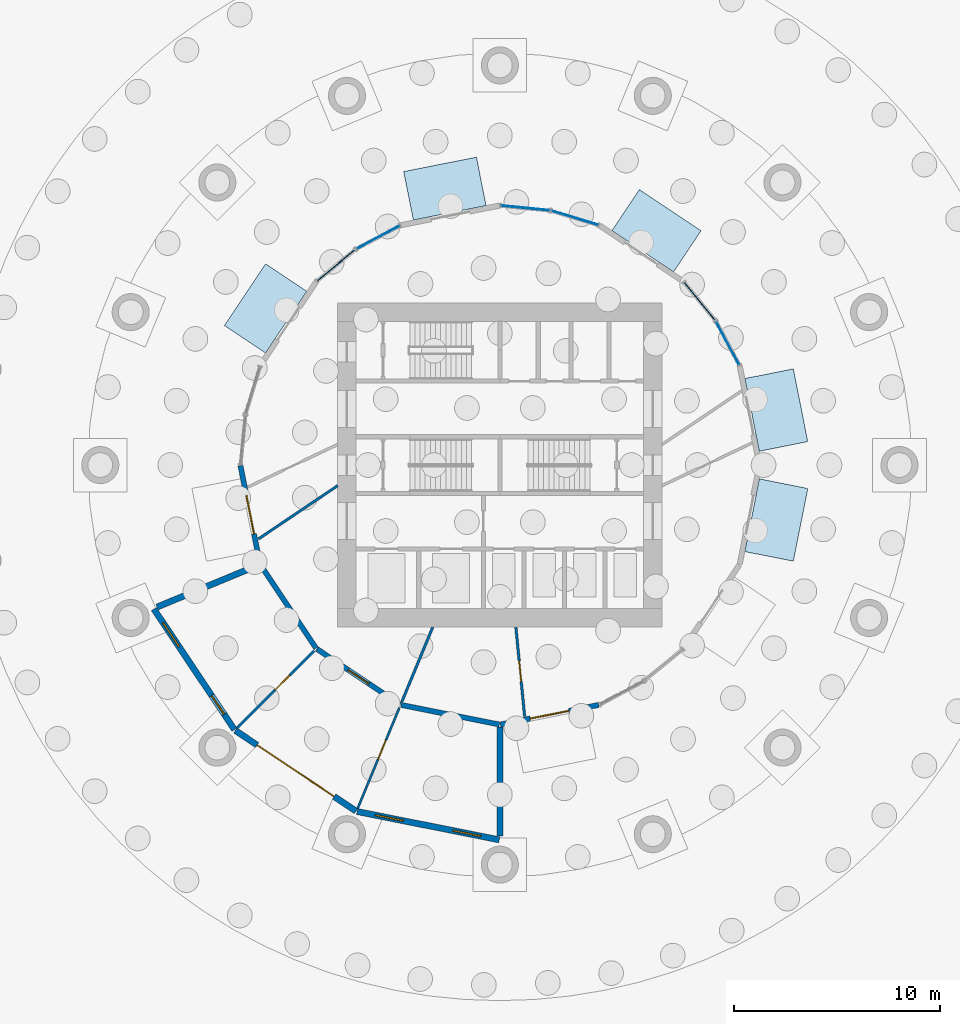
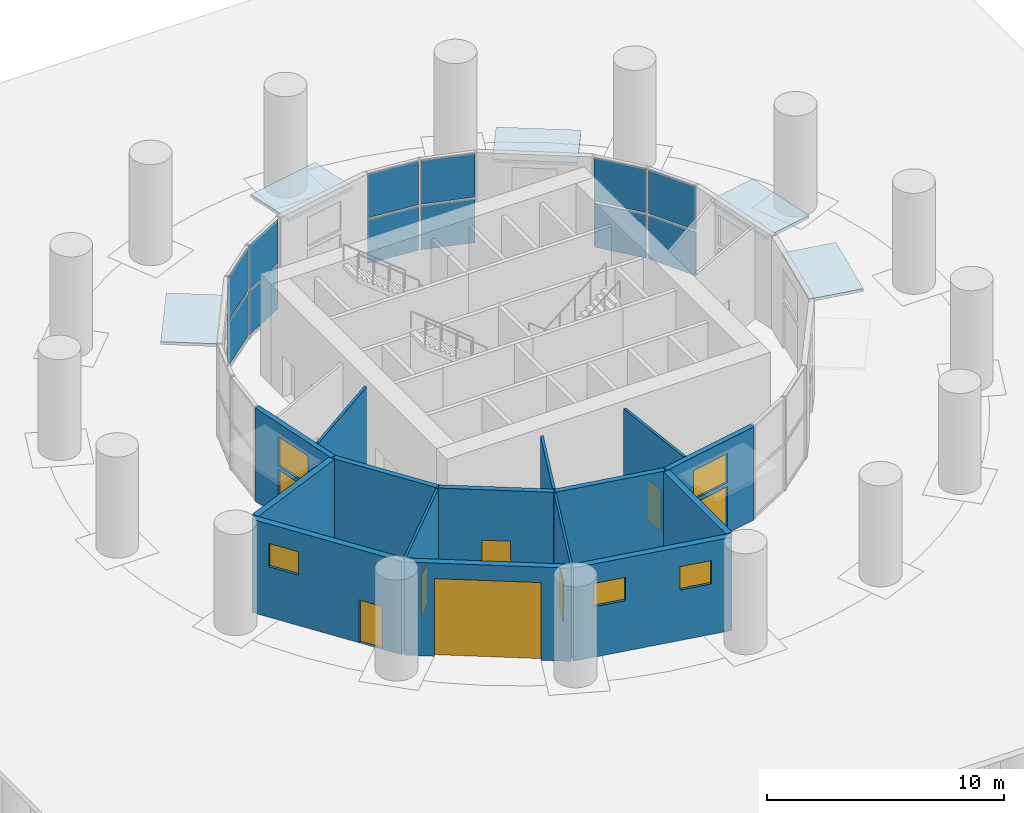
# One storey, part 5 of 10: 17 plates, 15 walls, 8 doors, 5 windows, 13 openings, 6 elements without a shape of their own.
"""IFC4 building model written with IfcOpenShell, lengths in metres."""

from ifc_helpers import new_model, si_unit, direction, frame, frame_2d, origin, origin_2d, place, context, subcontext, project, spatial, rectangle, extrude, material, layer, layer_set, type_object, element, fill, aggregate, save


model = new_model("IFC4")

# Units and contexts
model_context = context("Model", 3, precision=1e-05, world=origin(), true_north=direction((0.0, 1.0)))
body_context = subcontext(model_context, "Body", "Model", "MODEL_VIEW")
ifc_project = project(units=[si_unit("LENGTHUNIT", "METRE"), si_unit("AREAUNIT", "SQUARE_METRE"), si_unit("VOLUMEUNIT", "CUBIC_METRE"), si_unit("PLANEANGLEUNIT", "RADIAN"), si_unit("MASSUNIT", "GRAM", prefix="KILO")], contexts=[model_context])

# Site, building, storey
site_placement = place(None, origin())
site = spatial("IfcSite", under=ifc_project, at=site_placement, CompositionType="ELEMENT")
building_placement = place(site_placement, origin())
building = spatial("IfcBuilding", under=site, at=building_placement, Name="Polderwave Tower", CompositionType="ELEMENT")
storey_placement = place(building_placement, origin())
storey = spatial("IfcBuildingStorey", under=building, at=storey_placement, Name="L00", CompositionType="ELEMENT", Elevation=0.0)

# Plates
ifc_material_1 = material(Name="Stainless steel 316", Category="steel")
ifc_layer_1 = layer(ifc_material_1, 0.14990234375)
ifc_layer_set_1 = layer_set([ifc_layer_1], Name="Entrance canopy")
plate_type_1 = type_object("IfcPlateType", Name="Entrance canopy", PredefinedType="USERDEFINED", material=ifc_layer_set_1)
for number, where, z_axis, x_axis, name in (
    (1, (13.419921875, 2.66943359375, 4.150146484375), (0.0, 0.0, 1.0), (-0.195090322016, 0.980785280403, 0.0), "Entrance canopy E1"),
    (2, (7.601806640625, 11.376953125, 4.150146484375), (0.0, 0.0, 1.0), (-0.831469612303, 0.55557023302, 0.0), "Entrance canopy E2"),
    (3, (-2.66943359375, 13.419921875, 4.150146484375), (0.0, 0.0, 1.0), (-0.980785280403, -0.195090322016, 0.0), "Entrance canopy E3"),
    (4, (-11.376953125, 7.601806640625, 4.150146484375), (0.0, 0.0, 1.0), (-0.55557023302, -0.831469612303, 0.0), "Entrance canopy E4"),
    (5, (13.419921875, -2.66943359375, 4.150146484375), (0.0, 0.0, 1.0), (0.195090322016, 0.980785280403, 0.0), "Entrance canopy E8"),
):
    element("IfcPlate", number, at=place(storey_placement, frame(where, z_axis=z_axis, x_axis=x_axis)), inside=storey, type_object=plate_type_1, Name=name, ObjectType="CANOPY", PredefinedType="USERDEFINED", context=body_context, shape_type="SweptSolid", body=[
        extrude(rectangle(XDim=3.60009765625, YDim=2.39990234375, at=origin_2d()), origin(), (0.0, 0.0, 1.0), 0.14990234375),
    ])

# Curtain wall, plates
ifc_material_2 = material(Name="Aluminium 6063-T6 and glass", Category="aluminium")
curtain_wall_type = type_object("IfcCurtainWallType", Name="Entrance ring glazing wall", PredefinedType="NOTDEFINED", material=ifc_material_2)
curtain_wall_1_placement = place(storey_placement, origin())
curtain_wall_1 = element("IfcCurtainWall", 6, at=curtain_wall_1_placement, inside=storey, type_object=curtain_wall_type, Name="CW5 L00 01a", PredefinedType="NOTDEFINED")
ifc_material_3 = material(Name="Glass, low-e laminated double glazing", Category="glass")
ifc_layer_2 = layer(ifc_material_3, 0.0400390625)
ifc_layer_set_2 = layer_set([ifc_layer_2], Name="Entrance ring glazing glass panel 40 mm")
plate_type_2 = type_object("IfcPlateType", Name="Entrance ring glazing glass panel 40 mm", PredefinedType="CURTAIN_PANEL", material=ifc_layer_set_2)
plate_1_placement = place(storey_placement, frame((11.05908203125, 5.910888671875, 0.10009765625), z_axis=(0.0, 0.0, 1.0), x_axis=(-0.471344401735, 0.881949236041, 0.0)))
plate_1 = element("IfcPlate", 7, at=plate_1_placement, type_object=plate_type_2, Name="CW5 panel 1", PredefinedType="CURTAIN_PANEL", context=body_context, shape_type="SweptSolid", body=[
    extrude(rectangle(XDim=2.339599609375, YDim=0.0400390625, at=origin_2d()), origin(), (0.0, 0.0, 1.0), 2.25),
])
plate_2_placement = place(storey_placement, frame((11.05908203125, 5.910888671875, 2.449951171875), z_axis=(0.0, 0.0, 1.0), x_axis=(-0.471344401735, 0.881949236041, 0.0)))
plate_2 = element("IfcPlate", 8, at=plate_2_placement, type_object=plate_type_2, Name="CW5 panel 2", PredefinedType="CURTAIN_PANEL", context=body_context, shape_type="SweptSolid", body=[
    extrude(rectangle(XDim=2.339599609375, YDim=0.0400390625, at=origin_2d()), origin(), (0.0, 0.0, 1.0), 2.25),
])
aggregate(curtain_wall_1, [plate_1, plate_2])

curtain_wall_2_placement = place(storey_placement, origin())
curtain_wall_2 = element("IfcCurtainWall", 9, at=curtain_wall_2_placement, inside=storey, type_object=curtain_wall_type, Name="CW5 L00 01b", PredefinedType="NOTDEFINED")
plate_3_placement = place(storey_placement, frame((9.693603515625, 7.955078125, 0.10009765625), z_axis=(0.0, 0.0, 1.0), x_axis=(-0.63427320147, 0.773108987075, 0.0)))
plate_3 = element("IfcPlate", 10, at=plate_3_placement, type_object=plate_type_2, Name="CW5 panel 1", PredefinedType="CURTAIN_PANEL", context=body_context, shape_type="SweptSolid", body=[
    extrude(rectangle(XDim=2.340576171875, YDim=0.0400390625, at=origin_2d()), origin(), (0.0, 0.0, 1.0), 2.25),
])
plate_4_placement = place(storey_placement, frame((9.693603515625, 7.955078125, 2.449951171875), z_axis=(0.0, 0.0, 1.0), x_axis=(-0.63427320147, 0.773108987075, 0.0)))
plate_4 = element("IfcPlate", 11, at=plate_4_placement, type_object=plate_type_2, Name="CW5 panel 2", PredefinedType="CURTAIN_PANEL", context=body_context, shape_type="SweptSolid", body=[
    extrude(rectangle(XDim=2.340576171875, YDim=0.0400390625, at=origin_2d()), origin(), (0.0, 0.0, 1.0), 2.25),
])
aggregate(curtain_wall_2, [plate_3, plate_4])

curtain_wall_3_placement = place(storey_placement, origin())
curtain_wall_3 = element("IfcCurtainWall", 12, at=curtain_wall_3_placement, inside=storey, type_object=curtain_wall_type, Name="CW5 L00 03a", PredefinedType="NOTDEFINED")
plate_5_placement = place(storey_placement, frame((3.639892578125, 11.99951171875, 0.10009765625), z_axis=(0.0, 0.0, 1.0), x_axis=(-0.95695300088, 0.290242922579, 0.0)))
plate_5 = element("IfcPlate", 13, at=plate_5_placement, type_object=plate_type_2, Name="CW5 panel 1", PredefinedType="CURTAIN_PANEL", context=body_context, shape_type="SweptSolid", body=[
    extrude(rectangle(XDim=2.34033203125, YDim=0.0400390625, at=origin_2d()), origin(), (0.0, 0.0, 1.0), 2.25),
])
plate_6_placement = place(storey_placement, frame((3.639892578125, 11.99951171875, 2.449951171875), z_axis=(0.0, 0.0, 1.0), x_axis=(-0.95695300088, 0.290242922579, 0.0)))
plate_6 = element("IfcPlate", 14, at=plate_6_placement, type_object=plate_type_2, Name="CW5 panel 2", PredefinedType="CURTAIN_PANEL", context=body_context, shape_type="SweptSolid", body=[
    extrude(rectangle(XDim=2.34033203125, YDim=0.0400390625, at=origin_2d()), origin(), (0.0, 0.0, 1.0), 2.25),
])
aggregate(curtain_wall_3, [plate_5, plate_6])

curtain_wall_4_placement = place(storey_placement, origin())
curtain_wall_4 = element("IfcCurtainWall", 15, at=curtain_wall_4_placement, inside=storey, type_object=curtain_wall_type, Name="CW5 L00 03b", PredefinedType="NOTDEFINED")
plate_7_placement = place(storey_placement, frame((1.22900390625, 12.47900390625, 0.10009765625), z_axis=(0.0, 0.0, 1.0), x_axis=(-0.99518831852, 0.097980664838, 0.0)))
plate_7 = element("IfcPlate", 16, at=plate_7_placement, type_object=plate_type_2, Name="CW5 panel 1", PredefinedType="CURTAIN_PANEL", context=body_context, shape_type="SweptSolid", body=[
    extrude(rectangle(XDim=2.33984375, YDim=0.0400390625, at=origin_2d()), origin(), (0.0, 0.0, 1.0), 2.25),
])
plate_8_placement = place(storey_placement, frame((1.22900390625, 12.47900390625, 2.449951171875), z_axis=(0.0, 0.0, 1.0), x_axis=(-0.99518831852, 0.097980664838, 0.0)))
plate_8 = element("IfcPlate", 17, at=plate_8_placement, type_object=plate_type_2, Name="CW5 panel 2", PredefinedType="CURTAIN_PANEL", context=body_context, shape_type="SweptSolid", body=[
    extrude(rectangle(XDim=2.33984375, YDim=0.0400390625, at=origin_2d()), origin(), (0.0, 0.0, 1.0), 2.25),
])
aggregate(curtain_wall_4, [plate_7, plate_8])

curtain_wall_5_placement = place(storey_placement, origin())
curtain_wall_5 = element("IfcCurtainWall", 18, at=curtain_wall_5_placement, inside=storey, type_object=curtain_wall_type, Name="CW5 L00 05a", PredefinedType="NOTDEFINED")
plate_9_placement = place(storey_placement, frame((-5.910888671875, 11.05908203125, 0.10009765625), z_axis=(0.0, 0.0, 1.0), x_axis=(-0.881949236041, -0.471344401735, 0.0)))
plate_9 = element("IfcPlate", 19, at=plate_9_placement, type_object=plate_type_2, Name="CW5 panel 1", PredefinedType="CURTAIN_PANEL", context=body_context, shape_type="SweptSolid", body=[
    extrude(rectangle(XDim=2.339599609375, YDim=0.0400390625, at=origin_2d()), origin(), (0.0, 0.0, 1.0), 2.25),
])
plate_10_placement = place(storey_placement, frame((-5.910888671875, 11.05908203125, 2.449951171875), z_axis=(0.0, 0.0, 1.0), x_axis=(-0.881949236041, -0.471344401735, 0.0)))
plate_10 = element("IfcPlate", 20, at=plate_10_placement, type_object=plate_type_2, Name="CW5 panel 2", PredefinedType="CURTAIN_PANEL", context=body_context, shape_type="SweptSolid", body=[
    extrude(rectangle(XDim=2.339599609375, YDim=0.0400390625, at=origin_2d()), origin(), (0.0, 0.0, 1.0), 2.25),
])
aggregate(curtain_wall_5, [plate_9, plate_10])

curtain_wall_6_placement = place(storey_placement, origin())
curtain_wall_6 = element("IfcCurtainWall", 21, at=curtain_wall_6_placement, inside=storey, type_object=curtain_wall_type, Name="CW5 L00 05b", PredefinedType="NOTDEFINED")
plate_11_placement = place(storey_placement, frame((-7.955078125, 9.693603515625, 0.10009765625), z_axis=(0.0, 0.0, 1.0), x_axis=(-0.773108987075, -0.63427320147, 0.0)))
plate_11 = element("IfcPlate", 22, at=plate_11_placement, type_object=plate_type_2, Name="CW5 panel 1", PredefinedType="CURTAIN_PANEL", context=body_context, shape_type="SweptSolid", body=[
    extrude(rectangle(XDim=2.340576171875, YDim=0.0400390625, at=origin_2d()), origin(), (0.0, 0.0, 1.0), 2.25),
])
plate_12_placement = place(storey_placement, frame((-7.955078125, 9.693603515625, 2.449951171875), z_axis=(0.0, 0.0, 1.0), x_axis=(-0.773108987075, -0.63427320147, 0.0)))
plate_12 = element("IfcPlate", 23, at=plate_12_placement, type_object=plate_type_2, Name="CW5 panel 2", PredefinedType="CURTAIN_PANEL", context=body_context, shape_type="SweptSolid", body=[
    extrude(rectangle(XDim=2.340576171875, YDim=0.0400390625, at=origin_2d()), origin(), (0.0, 0.0, 1.0), 2.25),
])
aggregate(curtain_wall_6, [plate_11, plate_12])

# Walls
ifc_material_4 = material(Name="Fire-resisting board on steel studs", Category="steel")
ifc_layer_3 = layer(ifc_material_4, 0.125)
ifc_layer_set_3 = layer_set([ifc_layer_3], Name="Corridor wall 125 mm EI 60")
wall_type_1 = type_object("IfcWallType", Name="Corridor wall 125 mm EI 60", PredefinedType="PARTITIONING", material=ifc_layer_set_3)
wall_1_placement = place(storey_placement, frame((-11.722900390625, -3.589111328125, 0.0), z_axis=(0.0, 0.0, 1.0), x_axis=(0.829735405584, 0.5581569284, 0.0)))
element("IfcWall", 24, at=wall_1_placement, inside=storey, type_object=wall_type_1, Name="IN-L00-W003", PredefinedType="PARTITIONING", context=body_context, shape_type="SweptSolid", body=[
    extrude(rectangle(XDim=4.638671875, YDim=0.125, at=frame_2d((2.3193359375, 0.0))), origin(), (0.0, 0.0, 1.0), 4.800048828125),
])
wall_2_placement = place(storey_placement, frame((-3.261474609375, -7.8740234375, 0.0), z_axis=(0.0, 0.0, 1.0), x_axis=(-0.382719033385, -0.923864785283, 0.0)))
element("IfcWall", 25, at=wall_2_placement, inside=storey, type_object=wall_type_1, Name="IN-L00-W004", PredefinedType="PARTITIONING", context=body_context, shape_type="SweptSolid", body=[
    extrude(rectangle(XDim=3.914306640625, YDim=0.125, at=frame_2d((1.95703125, 0.0))), origin(), (0.0, 0.0, 1.0), 4.800048828125),
])

# Wall, opening, door
wall_3_placement = place(storey_placement, frame((1.201416015625, -12.197998046875, 0.0), z_axis=(0.0, 0.0, 1.0), x_axis=(-0.098051574103, 0.99518133464, 0.0)))
wall_3 = element("IfcWall", 26, at=wall_3_placement, inside=storey, type_object=wall_type_1, Name="IN-L00-W006", PredefinedType="PARTITIONING", context=body_context, shape_type="SweptSolid", body=[
    extrude(rectangle(XDim=4.344970703125, YDim=0.125, at=frame_2d((2.17236328125, 0.0))), origin(), (0.0, 0.0, 1.0), 4.800048828125),
])
opening_1_placement = place(wall_3_placement, frame((1.699951171875, 0.0, 0.0)))
opening_1 = element("IfcOpeningElement", 27, at=opening_1_placement, cuts=wall_3, Name="Opening L00-D52", PredefinedType="OPENING", context=body_context, shape_type="SweptSolid", body=[
    extrude(rectangle(XDim=1.0, YDim=2.10009765625, at=frame_2d((0.5, 1.050048828125))), frame((0.0, 0.072509765625, 0.0), z_axis=(0.0, -1.0, 0.0), x_axis=(1.0, 0.0, 0.0)), (0.0, 0.0, 1.0), 0.14501953125),
])
ifc_material_5 = material(Name="Timber fire door leaf", Category="wood")
door_type_1 = type_object("IfcDoorType", Name="Fire door FD30S 1000 x 2100", OperationType="NOTDEFINED", PredefinedType="DOOR", material=ifc_material_5)
door_1_placement = place(opening_1_placement, origin())
door_1 = element("IfcDoor", 28, at=door_1_placement, inside=storey, type_object=door_type_1, Name="Door L00-D52", OperationType="SINGLE_SWING_RIGHT", OverallHeight=2.10009765625, OverallWidth=1.0, PredefinedType="DOOR", context=body_context, shape_type="SweptSolid", body=[
    extrude(rectangle(XDim=1.0, YDim=2.10009765625, at=frame_2d((0.5, 1.050048828125))), frame((0.0, 0.02490234375, 0.0), z_axis=(0.0, -1.0, 0.0), x_axis=(1.0, 0.0, 0.0)), (0.0, 0.0, 1.0), 0.050048828125),
])
fill(opening_1, door_1)

# Wall, openings, window, door
ifc_material_6 = material(Name="Precast concrete C40/50", Category="concrete")
ifc_layer_4 = layer(ifc_material_6, 0.25)
ifc_layer_set_4 = layer_set([ifc_layer_4], Name="Entrance ring wall C40/50")
wall_type_2 = type_object("IfcWallType", Name="Entrance ring wall C40/50", PredefinedType="SOLIDWALL", material=ifc_layer_set_4)
wall_4_placement = place(storey_placement, frame((-11.645751953125, -4.79736328125, 0.0), z_axis=(0.0, 0.0, 1.0), x_axis=(-0.195103024496, 0.980782753637, 0.0)))
wall_4 = element("IfcWall", 29, at=wall_4_placement, inside=storey, type_object=wall_type_2, Name="Entrance ring wall 9", PredefinedType="SOLIDWALL", context=body_context, shape_type="SweptSolid", body=[
    extrude(rectangle(XDim=4.866455078125, YDim=0.25, at=frame_2d((2.43310546875, 0.0))), origin(), (0.0, 0.0, 1.0), 4.800048828125),
])
opening_2_placement = place(wall_4_placement, frame((1.480712890625, 0.0, 0.0)))
opening_2 = element("IfcOpeningElement", 30, at=opening_2_placement, cuts=wall_4, Name="Opening L00-D405", PredefinedType="OPENING", context=body_context, shape_type="SweptSolid", body=[
    extrude(rectangle(XDim=1.905029296875, YDim=2.39990234375, at=frame_2d((0.95263671875, 1.199951171875))), frame((0.0, 0.135009765625, 0.0), z_axis=(0.0, -1.0, 0.0), x_axis=(1.0, 0.0, 0.0)), (0.0, 0.0, 1.0), 0.27001953125),
])
opening_3_placement = place(wall_4_placement, frame((1.480712890625, 0.0, 2.60009765625)))
opening_3 = element("IfcOpeningElement", 31, at=opening_3_placement, cuts=wall_4, Name="Opening L00-W405", PredefinedType="OPENING", context=body_context, shape_type="SweptSolid", body=[
    extrude(rectangle(XDim=1.905029296875, YDim=1.5, at=frame_2d((0.95263671875, 0.75))), frame((0.0, 0.135009765625, 0.0), z_axis=(0.0, -1.0, 0.0), x_axis=(1.0, 0.0, 0.0)), (0.0, 0.0, 1.0), 0.27001953125),
])
window_type_1 = type_object("IfcWindowType", Name="Entrance clerestory window", PartitioningType="SINGLE_PANEL", PredefinedType="WINDOW", material=ifc_material_2)
window_1_placement = place(opening_3_placement, origin())
window_1 = element("IfcWindow", 32, at=window_1_placement, inside=storey, type_object=window_type_1, Name="Entrance clerestory window 5", OverallHeight=1.5, OverallWidth=1.905029296875, PartitioningType="SINGLE_PANEL", PredefinedType="WINDOW", context=body_context, shape_type="SweptSolid", body=[
    extrude(rectangle(XDim=1.905029296875, YDim=1.5, at=frame_2d((0.95263671875, 0.75))), frame((0.0, 0.030029296875, 0.0), z_axis=(0.0, -1.0, 0.0), x_axis=(1.0, 0.0, 0.0)), (0.0, 0.0, 1.0), 0.06005859375),
])
fill(opening_3, window_1)
door_type_2 = type_object("IfcDoorType", Name="Entrance double door 1900", OperationType="DOUBLE_DOOR_DOUBLE_SWING", PredefinedType="DOOR", material=ifc_material_2)
door_2_placement = place(opening_2_placement, origin())
door_2 = element("IfcDoor", 33, at=door_2_placement, inside=storey, type_object=door_type_2, Name="Exit door E5", OperationType="DOUBLE_DOOR_DOUBLE_SWING", OverallHeight=2.39990234375, OverallWidth=1.905029296875, PredefinedType="DOOR", context=body_context, shape_type="SweptSolid", body=[
    extrude(rectangle(XDim=1.905029296875, YDim=2.39990234375, at=frame_2d((0.95263671875, 1.199951171875))), frame((0.0, 0.02490234375, 0.0), z_axis=(0.0, -1.0, 0.0), x_axis=(1.0, 0.0, 0.0)), (0.0, 0.0, 1.0), 0.050048828125),
])
fill(opening_2, door_2)

# Wall
wall_5_placement = place(storey_placement, frame((-8.92333984375, -8.888916015625, 0.0), z_axis=(0.0, 0.0, 1.0), x_axis=(-0.555591293679, 0.831455539634, 0.0)))
element("IfcWall", 34, at=wall_5_placement, inside=storey, type_object=wall_type_2, Name="Entrance ring wall 10", PredefinedType="SOLIDWALL", context=body_context, shape_type="SweptSolid", body=[
    extrude(rectangle(XDim=4.86669921875, YDim=0.25, at=frame_2d((2.433349609375, 0.0))), origin(), (0.0, 0.0, 1.0), 4.800048828125),
])

# Wall, opening, door
wall_6_placement = place(storey_placement, frame((-4.842529296875, -11.627197265625, 0.0), z_axis=(0.0, 0.0, 1.0), x_axis=(-0.831455539634, 0.555591293679, 0.0)))
wall_6 = element("IfcWall", 35, at=wall_6_placement, inside=storey, type_object=wall_type_2, Name="Entrance ring wall 11", PredefinedType="SOLIDWALL", context=body_context, shape_type="SweptSolid", body=[
    extrude(rectangle(XDim=4.86669921875, YDim=0.25, at=frame_2d((2.433349609375, 0.0))), origin(), (0.0, 0.0, 1.0), 4.800048828125),
])
opening_4_placement = place(wall_6_placement, frame((1.833251953125, 0.0, 0.0)))
opening_4 = element("IfcOpeningElement", 36, at=opening_4_placement, cuts=wall_6, Name="Opening L00-D410", PredefinedType="OPENING", context=body_context, shape_type="SweptSolid", body=[
    extrude(rectangle(XDim=1.199951171875, YDim=2.199951171875, at=frame_2d((0.60009765625, 1.10009765625))), frame((0.0, 0.135009765625, 0.0), z_axis=(0.0, -1.0, 0.0), x_axis=(1.0, 0.0, 0.0)), (0.0, 0.0, 1.0), 0.27001953125),
])
ifc_material_7 = material(Name="Galvanised steel", Category="steel")
door_type_3 = type_object("IfcDoorType", Name="Service door 1200", OperationType="DOUBLE_DOOR_SINGLE_SWING", PredefinedType="DOOR", material=ifc_material_7)
door_3_placement = place(opening_4_placement, origin())
door_3 = element("IfcDoor", 37, at=door_3_placement, inside=storey, type_object=door_type_3, Name="Service door S1", OperationType="DOUBLE_DOOR_SINGLE_SWING", OverallHeight=2.199951171875, OverallWidth=1.199951171875, PredefinedType="DOOR", context=body_context, shape_type="SweptSolid", body=[
    extrude(rectangle(XDim=1.199951171875, YDim=2.199951171875, at=frame_2d((0.60009765625, 1.10009765625))), frame((0.0, 0.02490234375, 0.0), z_axis=(0.0, -1.0, 0.0), x_axis=(1.0, 0.0, 0.0)), (0.0, 0.0, 1.0), 0.050048828125),
])
fill(opening_4, door_3)

# Wall
wall_7_placement = place(storey_placement, frame((-0.0244140625, -12.59521484375, 0.0), z_axis=(0.0, 0.0, 1.0), x_axis=(-0.980782753637, 0.195103024496, 0.0)))
element("IfcWall", 38, at=wall_7_placement, inside=storey, type_object=wall_type_2, Name="Entrance ring wall 12", PredefinedType="SOLIDWALL", context=body_context, shape_type="SweptSolid", body=[
    extrude(rectangle(XDim=4.866455078125, YDim=0.25, at=frame_2d((2.43310546875, 0.0))), origin(), (0.0, 0.0, 1.0), 4.800048828125),
])

# Wall, openings, window, door
wall_8_placement = place(storey_placement, frame((4.79736328125, -11.645751953125, 0.0), z_axis=(0.0, 0.0, 1.0), x_axis=(-0.980782753637, -0.195103024496, 0.0)))
wall_8 = element("IfcWall", 39, at=wall_8_placement, inside=storey, type_object=wall_type_2, Name="Entrance ring wall 13", PredefinedType="SOLIDWALL", context=body_context, shape_type="SweptSolid", body=[
    extrude(rectangle(XDim=4.866455078125, YDim=0.25, at=frame_2d((2.43310546875, 0.0))), origin(), (0.0, 0.0, 1.0), 4.800048828125),
])
opening_5_placement = place(wall_8_placement, frame((1.480712890625, 0.0, 0.0)))
opening_5 = element("IfcOpeningElement", 40, at=opening_5_placement, cuts=wall_8, Name="Opening L00-D406", PredefinedType="OPENING", context=body_context, shape_type="SweptSolid", body=[
    extrude(rectangle(XDim=1.905029296875, YDim=2.39990234375, at=frame_2d((0.95263671875, 1.199951171875))), frame((0.0, 0.135009765625, 0.0), z_axis=(0.0, -1.0, 0.0), x_axis=(1.0, 0.0, 0.0)), (0.0, 0.0, 1.0), 0.27001953125),
])
opening_6_placement = place(wall_8_placement, frame((1.480712890625, 0.0, 2.60009765625)))
opening_6 = element("IfcOpeningElement", 41, at=opening_6_placement, cuts=wall_8, Name="Opening L00-W406", PredefinedType="OPENING", context=body_context, shape_type="SweptSolid", body=[
    extrude(rectangle(XDim=1.905029296875, YDim=1.5, at=frame_2d((0.95263671875, 0.75))), frame((0.0, 0.135009765625, 0.0), z_axis=(0.0, -1.0, 0.0), x_axis=(1.0, 0.0, 0.0)), (0.0, 0.0, 1.0), 0.27001953125),
])
window_2_placement = place(opening_6_placement, origin())
window_2 = element("IfcWindow", 42, at=window_2_placement, inside=storey, type_object=window_type_1, Name="Entrance clerestory window 6", OverallHeight=1.5, OverallWidth=1.905029296875, PartitioningType="SINGLE_PANEL", PredefinedType="WINDOW", context=body_context, shape_type="SweptSolid", body=[
    extrude(rectangle(XDim=1.905029296875, YDim=1.5, at=frame_2d((0.95263671875, 0.75))), frame((0.0, 0.030029296875, 0.0), z_axis=(0.0, -1.0, 0.0), x_axis=(1.0, 0.0, 0.0)), (0.0, 0.0, 1.0), 0.06005859375),
])
fill(opening_6, window_2)
door_4_placement = place(opening_5_placement, origin())
door_4 = element("IfcDoor", 43, at=door_4_placement, inside=storey, type_object=door_type_2, Name="Exit door E6", OperationType="DOUBLE_DOOR_DOUBLE_SWING", OverallHeight=2.39990234375, OverallWidth=1.905029296875, PredefinedType="DOOR", context=body_context, shape_type="SweptSolid", body=[
    extrude(rectangle(XDim=1.905029296875, YDim=2.39990234375, at=frame_2d((0.95263671875, 1.199951171875))), frame((0.0, 0.02490234375, 0.0), z_axis=(0.0, -1.0, 0.0), x_axis=(1.0, 0.0, 0.0)), (0.0, 0.0, 1.0), 0.050048828125),
])
fill(opening_5, door_4)

# Wall, opening, door
ifc_material_8 = material(Name="Moisture-resistant board on steel studs, tiled", Category="steel")
ifc_layer_5 = layer(ifc_material_8, 0.10498046875)
ifc_layer_set_5 = layer_set([ifc_layer_5], Name="Partition 105 mm wet room board and tile")
wall_type_3 = type_object("IfcWallType", Name="Partition 105 mm wet room board and tile", PredefinedType="PARTITIONING", material=ifc_layer_set_5)
wall_9_placement = place(storey_placement, frame((-4.88427734375, -11.79150390625, 0.0), z_axis=(0.0, 0.0, 1.0), x_axis=(-0.382665253172, -0.92388706237, 0.0)))
wall_9 = element("IfcWall", 44, at=wall_9_placement, inside=storey, type_object=wall_type_3, Name="IN-L00-W008", PredefinedType="PARTITIONING", context=body_context, shape_type="SweptSolid", body=[
    extrude(rectangle(XDim=5.273681640625, YDim=0.10498046875, at=frame_2d((2.63671875, 0.0))), origin(), (0.0, 0.0, 1.0), 4.800048828125),
])
opening_7_placement = place(wall_9_placement, frame((1.699951171875, 0.0, 0.0)))
opening_7 = element("IfcOpeningElement", 45, at=opening_7_placement, cuts=wall_9, Name="Opening L00-D54", PredefinedType="OPENING", context=body_context, shape_type="SweptSolid", body=[
    extrude(rectangle(XDim=1.0, YDim=2.10009765625, at=frame_2d((0.5, 1.050048828125))), frame((0.0, 0.0625, 0.0), z_axis=(0.0, -1.0, 0.0), x_axis=(1.0, 0.0, 0.0)), (0.0, 0.0, 1.0), 0.125),
])
ifc_material_9 = material(Name="Timber veneer door leaf", Category="wood")
door_type_4 = type_object("IfcDoorType", Name="Single door 1000 x 2100", OperationType="NOTDEFINED", PredefinedType="DOOR", material=ifc_material_9)
door_5_placement = place(opening_7_placement, origin())
door_5 = element("IfcDoor", 46, at=door_5_placement, inside=storey, type_object=door_type_4, Name="Door L00-D54", OperationType="SINGLE_SWING_LEFT", OverallHeight=2.10009765625, OverallWidth=1.0, PredefinedType="DOOR", context=body_context, shape_type="SweptSolid", body=[
    extrude(rectangle(XDim=1.0, YDim=2.10009765625, at=frame_2d((0.5, 1.050048828125))), frame((0.0, 0.02490234375, 0.0), z_axis=(0.0, -1.0, 0.0), x_axis=(1.0, 0.0, 0.0)), (0.0, 0.0, 1.0), 0.050048828125),
])
fill(opening_7, door_5)

ifc_material_10 = material(Name="Acoustic double plasterboard on steel studs", Category="steel")
ifc_layer_6 = layer(ifc_material_10, 0.110107421875)
ifc_layer_set_6 = layer_set([ifc_layer_6], Name="Partition 110 mm acoustic double board")
wall_type_4 = type_object("IfcWallType", Name="Partition 110 mm acoustic double board", PredefinedType="PARTITIONING", material=ifc_layer_set_6)
wall_10_placement = place(storey_placement, frame((-12.75390625, -12.75390625, 0.0), z_axis=(0.0, 0.0, 1.0), x_axis=(0.707106781187, 0.707106781187, 0.0)))
wall_10 = element("IfcWall", 47, at=wall_10_placement, inside=storey, type_object=wall_type_4, Name="IN-L00-W007", PredefinedType="PARTITIONING", context=body_context, shape_type="SweptSolid", body=[
    extrude(rectangle(XDim=5.273681640625, YDim=0.110107421875, at=frame_2d((2.63671875, 0.0))), origin(), (0.0, 0.0, 1.0), 4.800048828125),
])
opening_8_placement = place(wall_10_placement, frame((2.60009765625, 0.0, 0.0)))
opening_8 = element("IfcOpeningElement", 48, at=opening_8_placement, cuts=wall_10, Name="Opening L00-D53", PredefinedType="OPENING", context=body_context, shape_type="SweptSolid", body=[
    extrude(rectangle(XDim=1.0, YDim=2.10009765625, at=frame_2d((0.5, 1.050048828125))), frame((0.0, 0.06494140625, 0.0), z_axis=(0.0, -1.0, 0.0), x_axis=(1.0, 0.0, 0.0)), (0.0, 0.0, 1.0), 0.130126953125),
])
door_6_placement = place(opening_8_placement, origin())
door_6 = element("IfcDoor", 49, at=door_6_placement, inside=storey, type_object=door_type_1, Name="Door L00-D53", OperationType="SINGLE_SWING_RIGHT", OverallHeight=2.10009765625, OverallWidth=1.0, PredefinedType="DOOR", context=body_context, shape_type="SweptSolid", body=[
    extrude(rectangle(XDim=1.0, YDim=2.10009765625, at=frame_2d((0.5, 1.050048828125))), frame((0.0, 0.02490234375, 0.0), z_axis=(0.0, -1.0, 0.0), x_axis=(1.0, 0.0, 0.0)), (0.0, 0.0, 1.0), 0.050048828125),
])
fill(opening_8, door_6)

# Wall, openings, window, door
ifc_material_11 = material(Name="Concrete C40/50", Category="concrete")
ifc_layer_7 = layer(ifc_material_11, 0.300048828125)
ifc_layer_set_7 = layer_set([ifc_layer_7], Name="Service block wall C40/50")
wall_type_5 = type_object("IfcWallType", Name="Service block wall C40/50", PredefinedType="SOLIDWALL", material=ifc_layer_set_7)
wall_11_placement = place(storey_placement, frame((-12.885986328125, -12.844482421875, 0.0), z_axis=(0.0, 0.0, 1.0), x_axis=(-0.555563998711, 0.831473777901, 0.0)))
wall_11 = element("IfcWall", 50, at=wall_11_placement, inside=storey, type_object=wall_type_5, Name="Service block wall 10", PredefinedType="SOLIDWALL", context=body_context, shape_type="SweptSolid", body=[
    extrude(rectangle(XDim=7.041748046875, YDim=0.300048828125, at=frame_2d((3.52099609375, 0.0))), origin(), (0.0, 0.0, 1.0), 4.800048828125),
])
opening_9_placement = place(wall_11_placement, frame((0.89990234375, 0.0, 0.0)))
opening_9 = element("IfcOpeningElement", 51, at=opening_9_placement, cuts=wall_11, Name="Opening L00-D411", PredefinedType="OPENING", context=body_context, shape_type="SweptSolid", body=[
    extrude(rectangle(XDim=1.10009765625, YDim=2.199951171875, at=frame_2d((0.550048828125, 1.10009765625))), frame((0.0, 0.159912109375, 0.0), z_axis=(0.0, -1.0, 0.0), x_axis=(1.0, 0.0, 0.0)), (0.0, 0.0, 1.0), 0.320068359375),
])
opening_10_placement = place(wall_11_placement, frame((4.841552734375, 0.0, 2.60009765625)))
opening_10 = element("IfcOpeningElement", 52, at=opening_10_placement, cuts=wall_11, Name="Opening L00-W409", PredefinedType="OPENING", context=body_context, shape_type="SweptSolid", body=[
    extrude(rectangle(XDim=1.39990234375, YDim=1.199951171875, at=frame_2d((0.699951171875, 0.60009765625))), frame((0.0, 0.159912109375, 0.0), z_axis=(0.0, -1.0, 0.0), x_axis=(1.0, 0.0, 0.0)), (0.0, 0.0, 1.0), 0.320068359375),
])
window_type_2 = type_object("IfcWindowType", Name="Service block window", PartitioningType="SINGLE_PANEL", PredefinedType="WINDOW", material=ifc_material_2)
window_3_placement = place(opening_10_placement, origin())
window_3 = element("IfcWindow", 53, at=window_3_placement, inside=storey, type_object=window_type_2, Name="Service block window WS1", OverallHeight=1.199951171875, OverallWidth=1.39990234375, PartitioningType="SINGLE_PANEL", PredefinedType="WINDOW", context=body_context, shape_type="SweptSolid", body=[
    extrude(rectangle(XDim=1.39990234375, YDim=1.199951171875, at=frame_2d((0.699951171875, 0.60009765625))), frame((0.0, 0.030029296875, 0.0), z_axis=(0.0, -1.0, 0.0), x_axis=(1.0, 0.0, 0.0)), (0.0, 0.0, 1.0), 0.06005859375),
])
fill(opening_10, window_3)
door_type_5 = type_object("IfcDoorType", Name="Staff door 1100", OperationType="SINGLE_SWING_LEFT", PredefinedType="DOOR", material=ifc_material_7)
door_7_placement = place(opening_9_placement, origin())
door_7 = element("IfcDoor", 54, at=door_7_placement, inside=storey, type_object=door_type_5, Name="Staff door T1", OperationType="SINGLE_SWING_LEFT", OverallHeight=2.199951171875, OverallWidth=1.10009765625, PredefinedType="DOOR", context=body_context, shape_type="SweptSolid", body=[
    extrude(rectangle(XDim=1.10009765625, YDim=2.199951171875, at=frame_2d((0.550048828125, 1.10009765625))), frame((0.0, 0.02490234375, 0.0), z_axis=(0.0, -1.0, 0.0), x_axis=(1.0, 0.0, 0.0)), (0.0, 0.0, 1.0), 0.050048828125),
])
fill(opening_9, door_7)

# Wall, opening, door
wall_12_placement = place(storey_placement, frame((-6.989501953125, -16.798095703125, 0.0), z_axis=(0.0, 0.0, 1.0), x_axis=(-0.831473777901, 0.555563998711, 0.0)))
wall_12 = element("IfcWall", 55, at=wall_12_placement, inside=storey, type_object=wall_type_5, Name="Service block wall 11", PredefinedType="SOLIDWALL", context=body_context, shape_type="SweptSolid", body=[
    extrude(rectangle(XDim=7.041748046875, YDim=0.300048828125, at=frame_2d((3.52099609375, 0.0))), origin(), (0.0, 0.0, 1.0), 4.800048828125),
])
opening_11_placement = place(wall_12_placement, frame((1.270751953125, 0.0, 0.0)))
opening_11 = element("IfcOpeningElement", 56, at=opening_11_placement, cuts=wall_12, Name="Opening L00-D409", PredefinedType="OPENING", context=body_context, shape_type="SweptSolid", body=[
    extrude(rectangle(XDim=4.5, YDim=4.0, at=frame_2d((2.25, 2.0))), frame((0.0, 0.159912109375, 0.0), z_axis=(0.0, -1.0, 0.0), x_axis=(1.0, 0.0, 0.0)), (0.0, 0.0, 1.0), 0.320068359375),
])
door_type_6 = type_object("IfcDoorType", Name="Roller shutter 4500", OperationType="ROLLINGUP", PredefinedType="GATE", material=ifc_material_7)
door_8_placement = place(opening_11_placement, origin())
door_8 = element("IfcDoor", 57, at=door_8_placement, inside=storey, type_object=door_type_6, Name="Loading bay roller shutter V1", OperationType="ROLLINGUP", OverallHeight=4.0, OverallWidth=4.5, PredefinedType="GATE", context=body_context, shape_type="SweptSolid", body=[
    extrude(rectangle(XDim=4.5, YDim=4.0, at=frame_2d((2.25, 2.0))), frame((0.0, 0.02490234375, 0.0), z_axis=(0.0, -1.0, 0.0), x_axis=(1.0, 0.0, 0.0)), (0.0, 0.0, 1.0), 0.050048828125),
])
fill(opening_11, door_8)

# Wall, openings, windows
wall_13_placement = place(storey_placement, frame((-0.029296875, -18.194091796875, 0.0), z_axis=(0.0, 0.0, 1.0), x_axis=(-0.980784172817, 0.195095890146, 0.0)))
wall_13 = element("IfcWall", 58, at=wall_13_placement, inside=storey, type_object=wall_type_5, Name="Service block wall 12", PredefinedType="SOLIDWALL", context=body_context, shape_type="SweptSolid", body=[
    extrude(rectangle(XDim=7.04150390625, YDim=0.300048828125, at=frame_2d((3.520751953125, 0.0))), origin(), (0.0, 0.0, 1.0), 4.800048828125),
])
opening_12_placement = place(wall_13_placement, frame((0.89990234375, 0.0, 2.60009765625)))
opening_12 = element("IfcOpeningElement", 59, at=opening_12_placement, cuts=wall_13, Name="Opening L00-W410", PredefinedType="OPENING", context=body_context, shape_type="SweptSolid", body=[
    extrude(rectangle(XDim=1.39990234375, YDim=1.199951171875, at=frame_2d((0.699951171875, 0.60009765625))), frame((0.0, 0.159912109375, 0.0), z_axis=(0.0, -1.0, 0.0), x_axis=(1.0, 0.0, 0.0)), (0.0, 0.0, 1.0), 0.320068359375),
])
opening_13_placement = place(wall_13_placement, frame((4.74169921875, 0.0, 2.60009765625)))
opening_13 = element("IfcOpeningElement", 60, at=opening_13_placement, cuts=wall_13, Name="Opening L00-W411", PredefinedType="OPENING", context=body_context, shape_type="SweptSolid", body=[
    extrude(rectangle(XDim=1.39990234375, YDim=1.199951171875, at=frame_2d((0.699951171875, 0.60009765625))), frame((0.0, 0.159912109375, 0.0), z_axis=(0.0, -1.0, 0.0), x_axis=(1.0, 0.0, 0.0)), (0.0, 0.0, 1.0), 0.320068359375),
])
window_4_placement = place(opening_12_placement, origin())
window_4 = element("IfcWindow", 61, at=window_4_placement, inside=storey, type_object=window_type_2, Name="Service block window WS2", OverallHeight=1.199951171875, OverallWidth=1.39990234375, PartitioningType="SINGLE_PANEL", PredefinedType="WINDOW", context=body_context, shape_type="SweptSolid", body=[
    extrude(rectangle(XDim=1.39990234375, YDim=1.199951171875, at=frame_2d((0.699951171875, 0.60009765625))), frame((0.0, 0.030029296875, 0.0), z_axis=(0.0, -1.0, 0.0), x_axis=(1.0, 0.0, 0.0)), (0.0, 0.0, 1.0), 0.06005859375),
])
fill(opening_12, window_4)
window_5_placement = place(opening_13_placement, origin())
window_5 = element("IfcWindow", 62, at=window_5_placement, inside=storey, type_object=window_type_2, Name="Service block window WS3", OverallHeight=1.199951171875, OverallWidth=1.39990234375, PartitioningType="SINGLE_PANEL", PredefinedType="WINDOW", context=body_context, shape_type="SweptSolid", body=[
    extrude(rectangle(XDim=1.39990234375, YDim=1.199951171875, at=frame_2d((0.699951171875, 0.60009765625))), frame((0.0, 0.030029296875, 0.0), z_axis=(0.0, -1.0, 0.0), x_axis=(1.0, 0.0, 0.0)), (0.0, 0.0, 1.0), 0.06005859375),
])
fill(opening_13, window_5)

# Walls
wall_14_placement = place(storey_placement, frame((-11.758544921875, -4.87060546875, 0.0), z_axis=(0.0, 0.0, 1.0), x_axis=(-0.923884638053, -0.382671106265, 0.0)))
element("IfcWall", 63, at=wall_14_placement, inside=storey, type_object=wall_type_5, Name="Service block side wall 1", PredefinedType="SOLIDWALL", context=body_context, shape_type="SweptSolid", body=[
    extrude(rectangle(XDim=5.28955078125, YDim=0.300048828125, at=frame_2d((2.644775390625, 0.0))), origin(), (0.0, 0.0, 1.0), 4.800048828125),
])
wall_15_placement = place(storey_placement, frame((0.0, -12.727294921875, 0.0), z_axis=(0.0, 0.0, 1.0), x_axis=(0.0, -1.0, 0.0)))
element("IfcWall", 64, at=wall_15_placement, inside=storey, type_object=wall_type_5, Name="Service block side wall 2", PredefinedType="SOLIDWALL", context=body_context, shape_type="SweptSolid", body=[
    extrude(rectangle(XDim=5.289794921875, YDim=0.300048828125, at=frame_2d((2.64501953125, 0.0))), origin(), (0.0, 0.0, 1.0), 4.800048828125),
])

save(model, "model.ifc")
